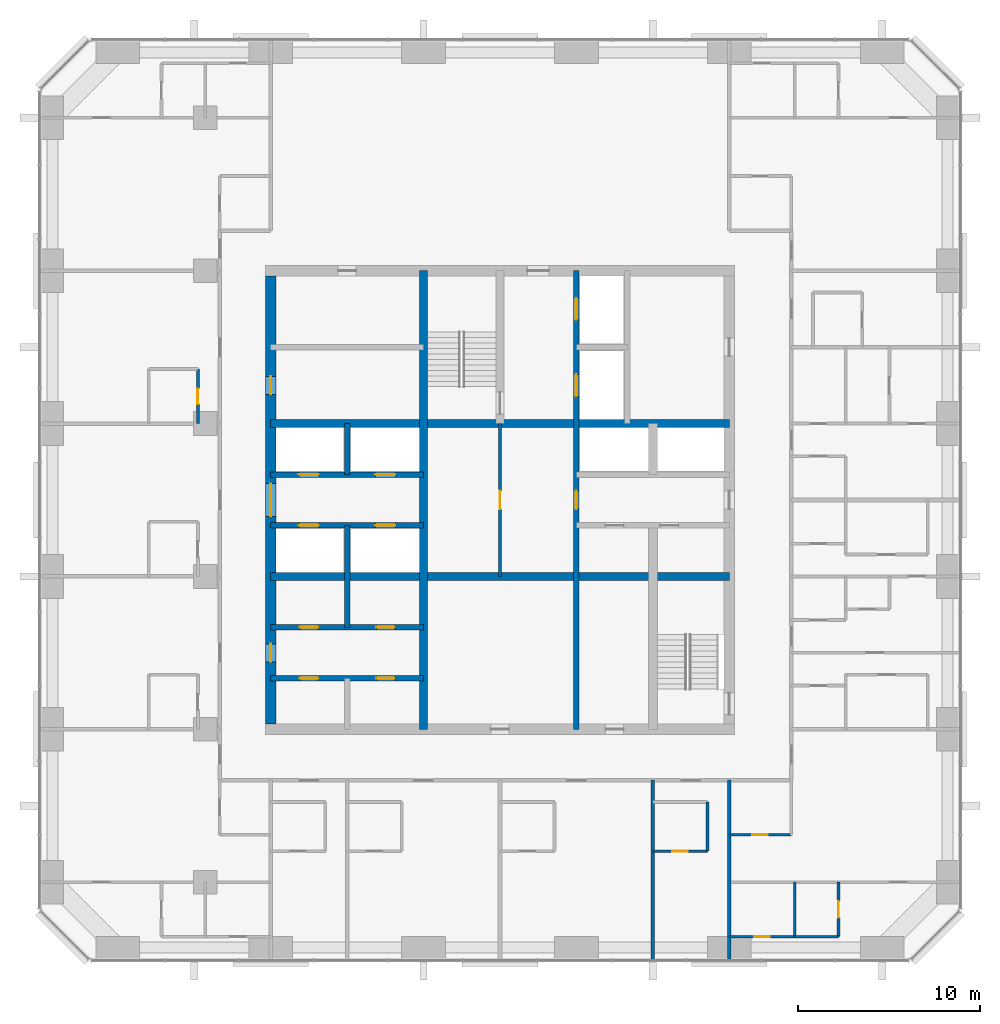
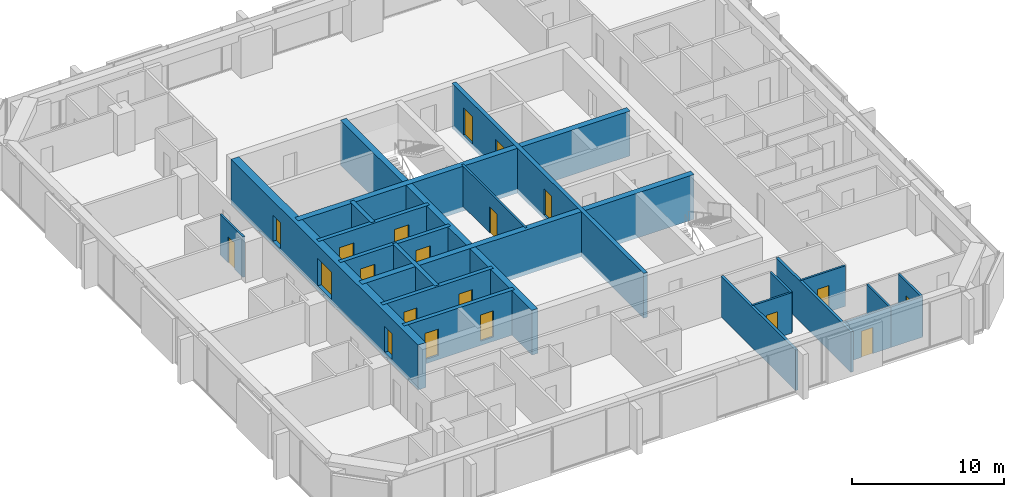
# One storey, part 9 of 13: 22 walls, 20 doors, 20 openings.
"""IFC4 building model written with IfcOpenShell, lengths in metres."""

from ifc_helpers import new_model, si_unit, direction, frame, frame_2d, origin, place, context, subcontext, project, spatial, rectangle, extrude, material, layer, layer_set, type_object, element, fill, save


model = new_model("IFC4")

# Units and contexts
model_context = context("Model", 3, precision=1e-05, world=origin(), true_north=direction((0.0, 1.0)))
body_context = subcontext(model_context, "Body", "Model", "MODEL_VIEW")
ifc_project = project(units=[si_unit("LENGTHUNIT", "METRE"), si_unit("AREAUNIT", "SQUARE_METRE"), si_unit("VOLUMEUNIT", "CUBIC_METRE"), si_unit("PLANEANGLEUNIT", "RADIAN"), si_unit("MASSUNIT", "GRAM", prefix="KILO")], contexts=[model_context])

# Site, building, storey
site_placement = place(None, origin())
site = spatial("IfcSite", under=ifc_project, at=site_placement, CompositionType="ELEMENT")
building_placement = place(site_placement, origin())
building = spatial("IfcBuilding", under=site, at=building_placement, Name="Dunama Terrace Hotel", CompositionType="ELEMENT")
storey_placement = place(building_placement, frame((0.0, 0.0, 195.0)))
storey = spatial("IfcBuildingStorey", under=building, at=storey_placement, Name="L50", CompositionType="ELEMENT", Elevation=195.0)

# Wall, opening, door
ifc_material_1 = material(Name="Gypsum board partition", Category="masonry")
ifc_layer_1 = layer(ifc_material_1, 0.14990234375)
ifc_layer_set_1 = layer_set([ifc_layer_1], Name="Bathroom partition 150")
wall_type_1 = type_object("IfcWallType", Name="Bathroom partition 150", PredefinedType="PARTITIONING", material=ifc_layer_set_1)
wall_1_placement = place(storey_placement, frame((12.800048828125, 33.60009765625, 0.0), z_axis=(0.0, 0.0, 1.0), x_axis=(0.0, 1.0, 0.0)))
wall_1 = element("IfcWall", 1, at=wall_1_placement, inside=storey, type_object=wall_type_1, Name="Bathroom partition 150 L50", PredefinedType="PARTITIONING", context=body_context, shape_type="SweptSolid", body=[
    extrude(rectangle(XDim=3.0, YDim=0.14990234375, at=frame_2d((1.5, 0.0))), origin(), (0.0, 0.0, 1.0), 3.25),
])
opening_1_placement = place(wall_1_placement, frame((1.074951171875, 0.0, 0.0)))
opening_1 = element("IfcOpeningElement", 2, at=opening_1_placement, cuts=wall_1, Name="Opening L48-50-038", PredefinedType="OPENING", context=body_context, shape_type="SweptSolid", body=[
    extrude(rectangle(XDim=0.85009765625, YDim=2.10009765625, at=frame_2d((0.425048828125, 1.050048828125))), frame((0.0, 0.0849609375, 0.0), z_axis=(0.0, -1.0, 0.0), x_axis=(1.0, 0.0, 0.0)), (0.0, 0.0, 1.0), 0.169921875),
])
ifc_material_2 = material(Name="Timber door with steel frame", Category="steel")
door_type_1 = type_object("IfcDoorType", Name="Bathroom door 850", OperationType="SINGLE_SWING_LEFT", PredefinedType="DOOR", material=ifc_material_2)
door_1_placement = place(opening_1_placement, origin())
door_1 = element("IfcDoor", 3, at=door_1_placement, inside=storey, type_object=door_type_1, Name="Door to en-suite bathroom L48-50-038, type D2", OperationType="SINGLE_SWING_LEFT", OverallHeight=2.10009765625, OverallWidth=0.85009765625, PredefinedType="DOOR", context=body_context, shape_type="SweptSolid", body=[
    extrude(rectangle(XDim=0.85009765625, YDim=2.10009765625, at=frame_2d((0.425048828125, 1.050048828125))), frame((0.0, 0.02490234375, 0.0), z_axis=(0.0, -1.0, 0.0), x_axis=(1.0, 0.0, 0.0)), (0.0, 0.0, 1.0), 0.050048828125),
])
fill(opening_1, door_1)

# Wall
wall_2_placement = place(storey_placement, frame((40.800048828125, 10.10009765625, 0.0), z_axis=(0.0, 0.0, 1.0), x_axis=(0.0, 1.0, 0.0)))
element("IfcWall", 4, at=wall_2_placement, inside=storey, type_object=wall_type_1, Name="Bathroom partition 150 L50", PredefinedType="PARTITIONING", context=body_context, shape_type="SweptSolid", body=[
    extrude(rectangle(XDim=2.699951171875, YDim=0.14990234375, at=frame_2d((1.35009765625, 0.0))), origin(), (0.0, 0.0, 1.0), 3.25),
])

# Wall, opening, door
wall_3_placement = place(storey_placement, frame((42.0, 5.39990234375, 0.0), z_axis=(0.0, 0.0, 1.0), x_axis=(1.0, 0.0, 0.0)))
wall_3 = element("IfcWall", 5, at=wall_3_placement, inside=storey, type_object=wall_type_1, Name="Bathroom partition 150 L50", PredefinedType="PARTITIONING", context=body_context, shape_type="SweptSolid", body=[
    extrude(rectangle(XDim=3.60009765625, YDim=0.14990234375, at=frame_2d((1.800048828125, 0.0))), origin(), (0.0, 0.0, 1.0), 3.25),
])
opening_2_placement = place(wall_3_placement, frame((1.375, 0.0, 0.0)))
opening_2 = element("IfcOpeningElement", 6, at=opening_2_placement, cuts=wall_3, Name="Opening L48-50-047", PredefinedType="OPENING", context=body_context, shape_type="SweptSolid", body=[
    extrude(rectangle(XDim=0.85009765625, YDim=2.10009765625, at=frame_2d((0.425048828125, 1.050048828125))), frame((0.0, 0.0849609375, 0.0), z_axis=(0.0, -1.0, 0.0), x_axis=(1.0, 0.0, 0.0)), (0.0, 0.0, 1.0), 0.169921875),
])
door_2_placement = place(opening_2_placement, origin())
door_2 = element("IfcDoor", 7, at=door_2_placement, inside=storey, type_object=door_type_1, Name="Door to en-suite bathroom L48-50-047, type D2", OperationType="SINGLE_SWING_LEFT", OverallHeight=2.10009765625, OverallWidth=0.85009765625, PredefinedType="DOOR", context=body_context, shape_type="SweptSolid", body=[
    extrude(rectangle(XDim=0.85009765625, YDim=2.10009765625, at=frame_2d((0.425048828125, 1.050048828125))), frame((0.0, 0.02490234375, 0.0), z_axis=(0.0, -1.0, 0.0), x_axis=(1.0, 0.0, 0.0)), (0.0, 0.0, 1.0), 0.050048828125),
])
fill(opening_2, door_2)

wall_4_placement = place(storey_placement, frame((37.800048828125, 10.10009765625, 0.0), z_axis=(0.0, 0.0, 1.0), x_axis=(1.0, 0.0, 0.0)))
wall_4 = element("IfcWall", 8, at=wall_4_placement, inside=storey, type_object=wall_type_1, Name="Bathroom partition 150 L50", PredefinedType="PARTITIONING", context=body_context, shape_type="SweptSolid", body=[
    extrude(rectangle(XDim=3.0, YDim=0.14990234375, at=frame_2d((1.5, 0.0))), origin(), (0.0, 0.0, 1.0), 3.25),
])
opening_3_placement = place(wall_4_placement, frame((1.074951171875, 0.0, 0.0)))
opening_3 = element("IfcOpeningElement", 9, at=opening_3_placement, cuts=wall_4, Name="Opening L48-50-016", PredefinedType="OPENING", context=body_context, shape_type="SweptSolid", body=[
    extrude(rectangle(XDim=0.85009765625, YDim=2.10009765625, at=frame_2d((0.425048828125, 1.050048828125))), frame((0.0, 0.0849609375, 0.0), z_axis=(0.0, -1.0, 0.0), x_axis=(1.0, 0.0, 0.0)), (0.0, 0.0, 1.0), 0.169921875),
])
door_3_placement = place(opening_3_placement, origin())
door_3 = element("IfcDoor", 10, at=door_3_placement, inside=storey, type_object=door_type_1, Name="Door to en-suite bathroom L48-50-016, type D2", OperationType="SINGLE_SWING_LEFT", OverallHeight=2.10009765625, OverallWidth=0.85009765625, PredefinedType="DOOR", context=body_context, shape_type="SweptSolid", body=[
    extrude(rectangle(XDim=0.85009765625, YDim=2.10009765625, at=frame_2d((0.425048828125, 1.050048828125))), frame((0.0, 0.02490234375, 0.0), z_axis=(0.0, -1.0, 0.0), x_axis=(1.0, 0.0, 0.0)), (0.0, 0.0, 1.0), 0.050048828125),
])
fill(opening_3, door_3)

wall_5_placement = place(storey_placement, frame((42.0, 11.0, 0.0), z_axis=(0.0, 0.0, 1.0), x_axis=(1.0, 0.0, 0.0)))
wall_5 = element("IfcWall", 11, at=wall_5_placement, inside=storey, type_object=wall_type_1, Name="Bathroom partition 150 L50", PredefinedType="PARTITIONING", context=body_context, shape_type="SweptSolid", body=[
    extrude(rectangle(XDim=3.39990234375, YDim=0.14990234375, at=frame_2d((1.699951171875, 0.0))), origin(), (0.0, 0.0, 1.0), 3.25),
])
opening_4_placement = place(wall_5_placement, frame((1.27490234375, 0.0, 0.0)))
opening_4 = element("IfcOpeningElement", 12, at=opening_4_placement, cuts=wall_5, Name="Opening L48-50-045", PredefinedType="OPENING", context=body_context, shape_type="SweptSolid", body=[
    extrude(rectangle(XDim=0.85009765625, YDim=2.10009765625, at=frame_2d((0.425048828125, 1.050048828125))), frame((0.0, 0.0849609375, 0.0), z_axis=(0.0, -1.0, 0.0), x_axis=(1.0, 0.0, 0.0)), (0.0, 0.0, 1.0), 0.169921875),
])
door_4_placement = place(opening_4_placement, origin())
door_4 = element("IfcDoor", 13, at=door_4_placement, inside=storey, type_object=door_type_1, Name="Door to powder room L48-50-045, type D2", OperationType="SINGLE_SWING_LEFT", OverallHeight=2.10009765625, OverallWidth=0.85009765625, PredefinedType="DOOR", context=body_context, shape_type="SweptSolid", body=[
    extrude(rectangle(XDim=0.85009765625, YDim=2.10009765625, at=frame_2d((0.425048828125, 1.050048828125))), frame((0.0, 0.02490234375, 0.0), z_axis=(0.0, -1.0, 0.0), x_axis=(1.0, 0.0, 0.0)), (0.0, 0.0, 1.0), 0.050048828125),
])
fill(opening_4, door_4)

# Walls
ifc_material_3 = material(Name="Concrete C50/60", Category="concrete")
ifc_layer_2 = layer(ifc_material_3, 0.300048828125)
ifc_layer_set_2 = layer_set([ifc_layer_2], Name="Core inner wall 300")
wall_type_2 = type_object("IfcWallType", Name="Core inner wall 300", PredefinedType="SHEAR", material=ifc_layer_set_2)
wall_6_placement = place(storey_placement, frame((21.0, 22.39990234375, -0.35009765625), z_axis=(0.0, 0.0, 1.0), x_axis=(0.0, 1.0, 0.0)))
element("IfcWall", 14, at=wall_6_placement, inside=storey, type_object=wall_type_2, Name="Core inner wall 300 L50", PredefinedType="SHEAR", context=body_context, shape_type="SweptSolid", body=[
    extrude(rectangle(XDim=5.60009765625, YDim=0.300048828125, at=frame_2d((2.800048828125, 0.0))), origin(), (0.0, 0.0, 1.0), 3.60009765625),
])
wall_7_placement = place(storey_placement, frame((21.0, 30.800048828125, -0.35009765625), z_axis=(0.0, 0.0, 1.0), x_axis=(0.0, 1.0, 0.0)))
element("IfcWall", 15, at=wall_7_placement, inside=storey, type_object=wall_type_2, Name="Core inner wall 300 L50", PredefinedType="SHEAR", context=body_context, shape_type="SweptSolid", body=[
    extrude(rectangle(XDim=2.800048828125, YDim=0.300048828125, at=frame_2d((1.39990234375, 0.0))), origin(), (0.0, 0.0, 1.0), 3.60009765625),
])

# Wall, openings, doors
wall_8_placement = place(storey_placement, frame((33.60009765625, 16.800048828125, -0.35009765625), z_axis=(0.0, 0.0, 1.0), x_axis=(0.0, 1.0, 0.0)))
wall_8 = element("IfcWall", 16, at=wall_8_placement, inside=storey, type_object=wall_type_2, Name="Core inner wall 300 L50", PredefinedType="SHEAR", context=body_context, shape_type="SweptSolid", body=[
    extrude(rectangle(XDim=25.199951171875, YDim=0.300048828125, at=frame_2d((12.60009765625, 0.0))), origin(), (0.0, 0.0, 1.0), 3.60009765625),
])
opening_5_placement = place(wall_8_placement, frame((22.5, 0.0, 0.35009765625)))
opening_5 = element("IfcOpeningElement", 17, at=opening_5_placement, cuts=wall_8, Name="Opening L48-50-007", PredefinedType="OPENING", context=body_context, shape_type="SweptSolid", body=[
    extrude(rectangle(XDim=1.199951171875, YDim=2.199951171875, at=frame_2d((0.60009765625, 1.10009765625))), frame((0.0, 0.159912109375, 0.0), z_axis=(0.0, -1.0, 0.0), x_axis=(1.0, 0.0, 0.0)), (0.0, 0.0, 1.0), 0.320068359375),
])
opening_6_placement = place(wall_8_placement, frame((18.300048828125, 0.0, 0.35009765625)))
opening_6 = element("IfcOpeningElement", 18, at=opening_6_placement, cuts=wall_8, Name="Opening L48-50-008", PredefinedType="OPENING", context=body_context, shape_type="SweptSolid", body=[
    extrude(rectangle(XDim=1.199951171875, YDim=2.199951171875, at=frame_2d((0.60009765625, 1.10009765625))), frame((0.0, 0.159912109375, 0.0), z_axis=(0.0, -1.0, 0.0), x_axis=(1.0, 0.0, 0.0)), (0.0, 0.0, 1.0), 0.320068359375),
])
opening_7_placement = place(wall_8_placement, frame((12.10009765625, 0.0, 0.35009765625)))
opening_7 = element("IfcOpeningElement", 19, at=opening_7_placement, cuts=wall_8, Name="Opening L48-50-067", PredefinedType="OPENING", context=body_context, shape_type="SweptSolid", body=[
    extrude(rectangle(XDim=1.0, YDim=2.10009765625, at=frame_2d((0.5, 1.050048828125))), frame((0.0, 0.159912109375, 0.0), z_axis=(0.0, -1.0, 0.0), x_axis=(1.0, 0.0, 0.0)), (0.0, 0.0, 1.0), 0.320068359375),
])
ifc_material_4 = material(Name="Stainless steel lift door", Category="steel")
door_type_2 = type_object("IfcDoorType", Name="Firefighting lift landing door 1200", OperationType="DOUBLE_DOOR_SLIDING", PredefinedType="DOOR", material=ifc_material_4)
door_5_placement = place(opening_5_placement, origin())
door_5 = element("IfcDoor", 20, at=door_5_placement, inside=storey, type_object=door_type_2, Name="Landing door FL1 L48-50-007, type LD2", OperationType="DOUBLE_DOOR_SLIDING", OverallHeight=2.199951171875, OverallWidth=1.199951171875, PredefinedType="DOOR", context=body_context, shape_type="SweptSolid", body=[
    extrude(rectangle(XDim=1.199951171875, YDim=2.199951171875, at=frame_2d((0.60009765625, 1.10009765625))), frame((0.0, 0.02490234375, 0.0), z_axis=(0.0, -1.0, 0.0), x_axis=(1.0, 0.0, 0.0)), (0.0, 0.0, 1.0), 0.050048828125),
])
fill(opening_5, door_5)
door_6_placement = place(opening_6_placement, origin())
door_6 = element("IfcDoor", 21, at=door_6_placement, inside=storey, type_object=door_type_2, Name="Landing door FL2 L48-50-008, type LD2", OperationType="DOUBLE_DOOR_SLIDING", OverallHeight=2.199951171875, OverallWidth=1.199951171875, PredefinedType="DOOR", context=body_context, shape_type="SweptSolid", body=[
    extrude(rectangle(XDim=1.199951171875, YDim=2.199951171875, at=frame_2d((0.60009765625, 1.10009765625))), frame((0.0, 0.02490234375, 0.0), z_axis=(0.0, -1.0, 0.0), x_axis=(1.0, 0.0, 0.0)), (0.0, 0.0, 1.0), 0.050048828125),
])
fill(opening_6, door_6)
ifc_material_5 = material(Name="Timber door with steel frame", Category="steel")
door_type_3 = type_object("IfcDoorType", Name="Service door 1000", OperationType="SINGLE_SWING_LEFT", PredefinedType="DOOR", material=ifc_material_5)
door_7_placement = place(opening_7_placement, origin())
door_7 = element("IfcDoor", 22, at=door_7_placement, inside=storey, type_object=door_type_3, Name="Door to linen store L48-50-067, type D7", OperationType="SINGLE_SWING_LEFT", OverallHeight=2.10009765625, OverallWidth=1.0, PredefinedType="DOOR", context=body_context, shape_type="SweptSolid", body=[
    extrude(rectangle(XDim=1.0, YDim=2.10009765625, at=frame_2d((0.5, 1.050048828125))), frame((0.0, 0.02490234375, 0.0), z_axis=(0.0, -1.0, 0.0), x_axis=(1.0, 0.0, 0.0)), (0.0, 0.0, 1.0), 0.050048828125),
])
fill(opening_7, door_7)

wall_9_placement = place(storey_placement, frame((16.800048828125, 19.60009765625, -0.35009765625), z_axis=(0.0, 0.0, 1.0), x_axis=(1.0, 0.0, 0.0)))
wall_9 = element("IfcWall", 23, at=wall_9_placement, inside=storey, type_object=wall_type_2, Name="Core inner wall 300 L50", PredefinedType="SHEAR", context=body_context, shape_type="SweptSolid", body=[
    extrude(rectangle(XDim=8.39990234375, YDim=0.300048828125, at=frame_2d((4.199951171875, 0.0))), origin(), (0.0, 0.0, 1.0), 3.60009765625),
])
opening_8_placement = place(wall_9_placement, frame((1.60009765625, 0.0, 0.35009765625)))
opening_8 = element("IfcOpeningElement", 24, at=opening_8_placement, cuts=wall_9, Name="Opening L48-50-060", PredefinedType="OPENING", context=body_context, shape_type="SweptSolid", body=[
    extrude(rectangle(XDim=1.0, YDim=2.10009765625, at=frame_2d((0.5, 1.050048828125))), frame((0.0, 0.159912109375, 0.0), z_axis=(0.0, -1.0, 0.0), x_axis=(1.0, 0.0, 0.0)), (0.0, 0.0, 1.0), 0.320068359375),
])
opening_9_placement = place(wall_9_placement, frame((5.800048828125, 0.0, 0.35009765625)))
opening_9 = element("IfcOpeningElement", 25, at=opening_9_placement, cuts=wall_9, Name="Opening L48-50-061", PredefinedType="OPENING", context=body_context, shape_type="SweptSolid", body=[
    extrude(rectangle(XDim=1.0, YDim=2.10009765625, at=frame_2d((0.5, 1.050048828125))), frame((0.0, 0.159912109375, 0.0), z_axis=(0.0, -1.0, 0.0), x_axis=(1.0, 0.0, 0.0)), (0.0, 0.0, 1.0), 0.320068359375),
])
door_8_placement = place(opening_8_placement, frame((1.0, 0.0, 0.0), z_axis=(0.0, 0.0, 1.0), x_axis=(-1.0, 0.0, 0.0)))
door_8 = element("IfcDoor", 26, at=door_8_placement, inside=storey, type_object=door_type_3, Name="Door to service riser L48-50-060, type D7", OperationType="SINGLE_SWING_RIGHT", OverallHeight=2.10009765625, OverallWidth=1.0, PredefinedType="DOOR", context=body_context, shape_type="SweptSolid", body=[
    extrude(rectangle(XDim=1.0, YDim=2.10009765625, at=frame_2d((0.5, 1.050048828125))), frame((0.0, 0.025146484375, 0.0), z_axis=(0.0, -1.0, 0.0), x_axis=(1.0, 0.0, 0.0)), (0.0, 0.0, 1.0), 0.050048828125),
])
fill(opening_8, door_8)
door_9_placement = place(opening_9_placement, frame((1.0, 0.0, 0.0), z_axis=(0.0, 0.0, 1.0), x_axis=(-1.0, 0.0, 0.0)))
door_9 = element("IfcDoor", 27, at=door_9_placement, inside=storey, type_object=door_type_3, Name="Door to housekeeping store L48-50-061, type D7", OperationType="SINGLE_SWING_LEFT", OverallHeight=2.10009765625, OverallWidth=1.0, PredefinedType="DOOR", context=body_context, shape_type="SweptSolid", body=[
    extrude(rectangle(XDim=1.0, YDim=2.10009765625, at=frame_2d((0.5, 1.050048828125))), frame((0.0, 0.025146484375, 0.0), z_axis=(0.0, -1.0, 0.0), x_axis=(1.0, 0.0, 0.0)), (0.0, 0.0, 1.0), 0.050048828125),
])
fill(opening_9, door_9)

wall_10_placement = place(storey_placement, frame((16.800048828125, 22.39990234375, -0.35009765625), z_axis=(0.0, 0.0, 1.0), x_axis=(1.0, 0.0, 0.0)))
wall_10 = element("IfcWall", 28, at=wall_10_placement, inside=storey, type_object=wall_type_2, Name="Core inner wall 300 L50", PredefinedType="SHEAR", context=body_context, shape_type="SweptSolid", body=[
    extrude(rectangle(XDim=8.39990234375, YDim=0.300048828125, at=frame_2d((4.199951171875, 0.0))), origin(), (0.0, 0.0, 1.0), 3.60009765625),
])
opening_10_placement = place(wall_10_placement, frame((1.60009765625, 0.0, 0.35009765625)))
opening_10 = element("IfcOpeningElement", 29, at=opening_10_placement, cuts=wall_10, Name="Opening L48-50-062", PredefinedType="OPENING", context=body_context, shape_type="SweptSolid", body=[
    extrude(rectangle(XDim=1.0, YDim=2.10009765625, at=frame_2d((0.5, 1.050048828125))), frame((0.0, 0.159912109375, 0.0), z_axis=(0.0, -1.0, 0.0), x_axis=(1.0, 0.0, 0.0)), (0.0, 0.0, 1.0), 0.320068359375),
])
opening_11_placement = place(wall_10_placement, frame((5.800048828125, 0.0, 0.35009765625)))
opening_11 = element("IfcOpeningElement", 30, at=opening_11_placement, cuts=wall_10, Name="Opening L48-50-063", PredefinedType="OPENING", context=body_context, shape_type="SweptSolid", body=[
    extrude(rectangle(XDim=1.0, YDim=2.10009765625, at=frame_2d((0.5, 1.050048828125))), frame((0.0, 0.159912109375, 0.0), z_axis=(0.0, -1.0, 0.0), x_axis=(1.0, 0.0, 0.0)), (0.0, 0.0, 1.0), 0.320068359375),
])
door_10_placement = place(opening_10_placement, origin())
door_10 = element("IfcDoor", 31, at=door_10_placement, inside=storey, type_object=door_type_3, Name="Door to staff accessible wc L48-50-062, type D7", OperationType="SINGLE_SWING_LEFT", OverallHeight=2.10009765625, OverallWidth=1.0, PredefinedType="DOOR", context=body_context, shape_type="SweptSolid", body=[
    extrude(rectangle(XDim=1.0, YDim=2.10009765625, at=frame_2d((0.5, 1.050048828125))), frame((0.0, 0.02490234375, 0.0), z_axis=(0.0, -1.0, 0.0), x_axis=(1.0, 0.0, 0.0)), (0.0, 0.0, 1.0), 0.050048828125),
])
fill(opening_10, door_10)
door_11_placement = place(opening_11_placement, origin())
door_11 = element("IfcDoor", 32, at=door_11_placement, inside=storey, type_object=door_type_3, Name="Door to it room L48-50-063, type D7", OperationType="SINGLE_SWING_RIGHT", OverallHeight=2.10009765625, OverallWidth=1.0, PredefinedType="DOOR", context=body_context, shape_type="SweptSolid", body=[
    extrude(rectangle(XDim=1.0, YDim=2.10009765625, at=frame_2d((0.5, 1.050048828125))), frame((0.0, 0.02490234375, 0.0), z_axis=(0.0, -1.0, 0.0), x_axis=(1.0, 0.0, 0.0)), (0.0, 0.0, 1.0), 0.050048828125),
])
fill(opening_11, door_11)

wall_11_placement = place(storey_placement, frame((16.800048828125, 28.0, -0.35009765625), z_axis=(0.0, 0.0, 1.0), x_axis=(1.0, 0.0, 0.0)))
wall_11 = element("IfcWall", 33, at=wall_11_placement, inside=storey, type_object=wall_type_2, Name="Core inner wall 300 L50", PredefinedType="SHEAR", context=body_context, shape_type="SweptSolid", body=[
    extrude(rectangle(XDim=8.39990234375, YDim=0.300048828125, at=frame_2d((4.199951171875, 0.0))), origin(), (0.0, 0.0, 1.0), 3.60009765625),
])
opening_12_placement = place(wall_11_placement, frame((1.550048828125, 0.0, 0.35009765625)))
opening_12 = element("IfcOpeningElement", 34, at=opening_12_placement, cuts=wall_11, Name="Opening L48-50-003", PredefinedType="OPENING", context=body_context, shape_type="SweptSolid", body=[
    extrude(rectangle(XDim=1.10009765625, YDim=2.199951171875, at=frame_2d((0.550048828125, 1.10009765625))), frame((0.0, 0.159912109375, 0.0), z_axis=(0.0, -1.0, 0.0), x_axis=(1.0, 0.0, 0.0)), (0.0, 0.0, 1.0), 0.320068359375),
])
opening_13_placement = place(wall_11_placement, frame((5.75, 0.0, 0.35009765625)))
opening_13 = element("IfcOpeningElement", 35, at=opening_13_placement, cuts=wall_11, Name="Opening L48-50-004", PredefinedType="OPENING", context=body_context, shape_type="SweptSolid", body=[
    extrude(rectangle(XDim=1.10009765625, YDim=2.199951171875, at=frame_2d((0.550048828125, 1.10009765625))), frame((0.0, 0.159912109375, 0.0), z_axis=(0.0, -1.0, 0.0), x_axis=(1.0, 0.0, 0.0)), (0.0, 0.0, 1.0), 0.320068359375),
])
ifc_material_6 = material(Name="Stainless steel lift door", Category="steel")
door_type_4 = type_object("IfcDoorType", Name="Lift landing door 1100", OperationType="DOUBLE_DOOR_SLIDING", PredefinedType="DOOR", material=ifc_material_6)
door_12_placement = place(opening_12_placement, origin())
door_12 = element("IfcDoor", 36, at=door_12_placement, inside=storey, type_object=door_type_4, Name="Landing door PC1 L48-50-003, type LD1", OperationType="DOUBLE_DOOR_SLIDING", OverallHeight=2.199951171875, OverallWidth=1.10009765625, PredefinedType="DOOR", context=body_context, shape_type="SweptSolid", body=[
    extrude(rectangle(XDim=1.10009765625, YDim=2.199951171875, at=frame_2d((0.550048828125, 1.10009765625))), frame((0.0, 0.02490234375, 0.0), z_axis=(0.0, -1.0, 0.0), x_axis=(1.0, 0.0, 0.0)), (0.0, 0.0, 1.0), 0.050048828125),
])
fill(opening_12, door_12)
door_13_placement = place(opening_13_placement, origin())
door_13 = element("IfcDoor", 37, at=door_13_placement, inside=storey, type_object=door_type_4, Name="Landing door PC2 L48-50-004, type LD1", OperationType="DOUBLE_DOOR_SLIDING", OverallHeight=2.199951171875, OverallWidth=1.10009765625, PredefinedType="DOOR", context=body_context, shape_type="SweptSolid", body=[
    extrude(rectangle(XDim=1.10009765625, YDim=2.199951171875, at=frame_2d((0.550048828125, 1.10009765625))), frame((0.0, 0.02490234375, 0.0), z_axis=(0.0, -1.0, 0.0), x_axis=(1.0, 0.0, 0.0)), (0.0, 0.0, 1.0), 0.050048828125),
])
fill(opening_13, door_13)

wall_12_placement = place(storey_placement, frame((16.800048828125, 30.800048828125, -0.35009765625), z_axis=(0.0, 0.0, 1.0), x_axis=(1.0, 0.0, 0.0)))
wall_12 = element("IfcWall", 38, at=wall_12_placement, inside=storey, type_object=wall_type_2, Name="Core inner wall 300 L50", PredefinedType="SHEAR", context=body_context, shape_type="SweptSolid", body=[
    extrude(rectangle(XDim=8.39990234375, YDim=0.300048828125, at=frame_2d((4.199951171875, 0.0))), origin(), (0.0, 0.0, 1.0), 3.60009765625),
])
opening_14_placement = place(wall_12_placement, frame((1.550048828125, 0.0, 0.35009765625)))
opening_14 = element("IfcOpeningElement", 39, at=opening_14_placement, cuts=wall_12, Name="Opening L48-50-005", PredefinedType="OPENING", context=body_context, shape_type="SweptSolid", body=[
    extrude(rectangle(XDim=1.10009765625, YDim=2.199951171875, at=frame_2d((0.550048828125, 1.10009765625))), frame((0.0, 0.159912109375, 0.0), z_axis=(0.0, -1.0, 0.0), x_axis=(1.0, 0.0, 0.0)), (0.0, 0.0, 1.0), 0.320068359375),
])
opening_15_placement = place(wall_12_placement, frame((5.75, 0.0, 0.35009765625)))
opening_15 = element("IfcOpeningElement", 40, at=opening_15_placement, cuts=wall_12, Name="Opening L48-50-006", PredefinedType="OPENING", context=body_context, shape_type="SweptSolid", body=[
    extrude(rectangle(XDim=1.10009765625, YDim=2.199951171875, at=frame_2d((0.550048828125, 1.10009765625))), frame((0.0, 0.159912109375, 0.0), z_axis=(0.0, -1.0, 0.0), x_axis=(1.0, 0.0, 0.0)), (0.0, 0.0, 1.0), 0.320068359375),
])
door_14_placement = place(opening_14_placement, origin())
door_14 = element("IfcDoor", 41, at=door_14_placement, inside=storey, type_object=door_type_4, Name="Landing door PC3 L48-50-005, type LD1", OperationType="DOUBLE_DOOR_SLIDING", OverallHeight=2.199951171875, OverallWidth=1.10009765625, PredefinedType="DOOR", context=body_context, shape_type="SweptSolid", body=[
    extrude(rectangle(XDim=1.10009765625, YDim=2.199951171875, at=frame_2d((0.550048828125, 1.10009765625))), frame((0.0, 0.02490234375, 0.0), z_axis=(0.0, -1.0, 0.0), x_axis=(1.0, 0.0, 0.0)), (0.0, 0.0, 1.0), 0.050048828125),
])
fill(opening_14, door_14)
door_15_placement = place(opening_15_placement, origin())
door_15 = element("IfcDoor", 42, at=door_15_placement, inside=storey, type_object=door_type_4, Name="Landing door PC4 L48-50-006, type LD1", OperationType="DOUBLE_DOOR_SLIDING", OverallHeight=2.199951171875, OverallWidth=1.10009765625, PredefinedType="DOOR", context=body_context, shape_type="SweptSolid", body=[
    extrude(rectangle(XDim=1.10009765625, YDim=2.199951171875, at=frame_2d((0.550048828125, 1.10009765625))), frame((0.0, 0.02490234375, 0.0), z_axis=(0.0, -1.0, 0.0), x_axis=(1.0, 0.0, 0.0)), (0.0, 0.0, 1.0), 0.050048828125),
])
fill(opening_15, door_15)

# Walls
ifc_material_7 = material(Name="Concrete C50/60", Category="concrete")
ifc_layer_3 = layer(ifc_material_7, 0.449951171875)
ifc_layer_set_3 = layer_set([ifc_layer_3], Name="Core inner wall 450")
wall_type_3 = type_object("IfcWallType", Name="Core inner wall 450", PredefinedType="SHEAR", material=ifc_layer_set_3)
for number, where, z_axis, x_axis, name in (
    (43, (25.199951171875, 16.800048828125, -0.35009765625), (0.0, 0.0, 1.0), (0.0, 1.0, 0.0), "Core inner wall 450 L50"),
    (44, (16.800048828125, 25.199951171875, -0.35009765625), (0.0, 0.0, 1.0), (1.0, 0.0, 0.0), "Core inner wall 450 L50"),
    (45, (16.800048828125, 33.60009765625, -0.35009765625), (0.0, 0.0, 1.0), (1.0, 0.0, 0.0), "Core inner wall 450 L50"),
):
    element("IfcWall", number, at=place(storey_placement, frame(where, z_axis=z_axis, x_axis=x_axis)), inside=storey, type_object=wall_type_3, Name=name, PredefinedType="SHEAR", context=body_context, shape_type="SweptSolid", body=[
        extrude(rectangle(XDim=25.199951171875, YDim=0.449951171875, at=frame_2d((12.60009765625, 0.0))), origin(), (0.0, 0.0, 1.0), 3.60009765625),
    ])

# Wall, openings, doors
ifc_material_8 = material(Name="Concrete C50/60", Category="concrete")
ifc_layer_4 = layer(ifc_material_8, 0.60009765625)
ifc_layer_set_4 = layer_set([ifc_layer_4], Name="Core wall 600")
wall_type_4 = type_object("IfcWallType", Name="Core wall 600", PredefinedType="SHEAR", material=ifc_layer_set_4)
wall_13_placement = place(storey_placement, frame((16.800048828125, 41.699951171875, -0.35009765625), z_axis=(0.0, 0.0, 1.0), x_axis=(0.0, -1.0, 0.0)))
wall_13 = element("IfcWall", 46, at=wall_13_placement, inside=storey, type_object=wall_type_4, Name="Core wall west L50", PredefinedType="SHEAR", context=body_context, shape_type="SweptSolid", body=[
    extrude(rectangle(XDim=24.599853515625, YDim=0.60009765625, at=frame_2d((12.2998046875, 0.0))), origin(), (0.0, 0.0, 1.0), 3.60009765625),
])
opening_16_placement = place(wall_13_placement, frame((11.39990234375, 0.0, 0.35009765625)))
opening_16 = element("IfcOpeningElement", 47, at=opening_16_placement, cuts=wall_13, Name="Opening L48-50-059", PredefinedType="OPENING", context=body_context, shape_type="SweptSolid", body=[
    extrude(rectangle(XDim=1.800048828125, YDim=2.199951171875, at=frame_2d((0.89990234375, 1.10009765625))), frame((0.0, 0.31005859375, 0.0), z_axis=(0.0, -1.0, 0.0), x_axis=(1.0, 0.0, 0.0)), (0.0, 0.0, 1.0), 0.6201171875),
])
opening_17_placement = place(wall_13_placement, frame((20.199951171875, 0.0, 0.35009765625)))
opening_17 = element("IfcOpeningElement", 48, at=opening_17_placement, cuts=wall_13, Name="Opening L48-50-064", PredefinedType="OPENING", context=body_context, shape_type="SweptSolid", body=[
    extrude(rectangle(XDim=1.0, YDim=2.10009765625, at=frame_2d((0.5, 1.050048828125))), frame((0.0, 0.31005859375, 0.0), z_axis=(0.0, -1.0, 0.0), x_axis=(1.0, 0.0, 0.0)), (0.0, 0.0, 1.0), 0.6201171875),
])
opening_18_placement = place(wall_13_placement, frame((5.5, 0.0, 0.35009765625)))
opening_18 = element("IfcOpeningElement", 49, at=opening_18_placement, cuts=wall_13, Name="Opening L48-50-065", PredefinedType="OPENING", context=body_context, shape_type="SweptSolid", body=[
    extrude(rectangle(XDim=1.0, YDim=2.10009765625, at=frame_2d((0.5, 1.050048828125))), frame((0.0, 0.31005859375, 0.0), z_axis=(0.0, -1.0, 0.0), x_axis=(1.0, 0.0, 0.0)), (0.0, 0.0, 1.0), 0.6201171875),
])
ifc_material_9 = material(Name="Timber door with steel frame", Category="steel")
door_type_5 = type_object("IfcDoorType", Name="Lift lobby double door 1800", OperationType="DOUBLE_DOOR_DOUBLE_SWING", PredefinedType="DOOR", material=ifc_material_9)
door_16_placement = place(opening_16_placement, origin())
door_16 = element("IfcDoor", 50, at=door_16_placement, inside=storey, type_object=door_type_5, Name="Door to lift lobby L48-50-059, type D3", OperationType="DOUBLE_DOOR_DOUBLE_SWING", OverallHeight=2.199951171875, OverallWidth=1.800048828125, PredefinedType="DOOR", context=body_context, shape_type="SweptSolid", body=[
    extrude(rectangle(XDim=1.800048828125, YDim=2.199951171875, at=frame_2d((0.89990234375, 1.10009765625))), frame((0.0, 0.02490234375, 0.0), z_axis=(0.0, -1.0, 0.0), x_axis=(1.0, 0.0, 0.0)), (0.0, 0.0, 1.0), 0.050048828125),
])
fill(opening_16, door_16)
door_17_placement = place(opening_17_placement, origin())
door_17 = element("IfcDoor", 51, at=door_17_placement, inside=storey, type_object=door_type_3, Name="Door to back-of-house lobby L48-50-064, type D7", OperationType="SINGLE_SWING_LEFT", OverallHeight=2.10009765625, OverallWidth=1.0, PredefinedType="DOOR", context=body_context, shape_type="SweptSolid", body=[
    extrude(rectangle(XDim=1.0, YDim=2.10009765625, at=frame_2d((0.5, 1.050048828125))), frame((0.0, 0.02490234375, 0.0), z_axis=(0.0, -1.0, 0.0), x_axis=(1.0, 0.0, 0.0)), (0.0, 0.0, 1.0), 0.050048828125),
])
fill(opening_17, door_17)
door_18_placement = place(opening_18_placement, origin())
door_18 = element("IfcDoor", 52, at=door_18_placement, inside=storey, type_object=door_type_3, Name="Door to electrical room L48-50-065, type D7", OperationType="SINGLE_SWING_RIGHT", OverallHeight=2.10009765625, OverallWidth=1.0, PredefinedType="DOOR", context=body_context, shape_type="SweptSolid", body=[
    extrude(rectangle(XDim=1.0, YDim=2.10009765625, at=frame_2d((0.5, 1.050048828125))), frame((0.0, 0.02490234375, 0.0), z_axis=(0.0, -1.0, 0.0), x_axis=(1.0, 0.0, 0.0)), (0.0, 0.0, 1.0), 0.050048828125),
])
fill(opening_18, door_18)

# Walls
ifc_material_10 = material(Name="Concrete blockwork", Category="masonry")
ifc_layer_5 = layer(ifc_material_10, 0.199951171875)
ifc_layer_set_5 = layer_set([ifc_layer_5], Name="Party wall 200")
wall_type_5 = type_object("IfcWallType", Name="Party wall 200", PredefinedType="PARTITIONING", material=ifc_layer_set_5)
for number, where, z_axis, x_axis, name in (
    (53, (37.800048828125, 4.181884765625, 0.0), (0.0, 0.0, 1.0), (0.0, 1.0, 0.0), "Party wall 200 L50"),
    (54, (42.0, 4.181884765625, 0.0), (0.0, 0.0, 1.0), (0.0, 1.0, 0.0), "Party wall 200 L50"),
):
    element("IfcWall", number, at=place(storey_placement, frame(where, z_axis=z_axis, x_axis=x_axis)), inside=storey, type_object=wall_type_5, Name=name, PredefinedType="PARTITIONING", context=body_context, shape_type="SweptSolid", body=[
        extrude(rectangle(XDim=9.818115234375, YDim=0.199951171875, at=frame_2d((4.9091796875, 0.0))), origin(), (0.0, 0.0, 1.0), 3.25),
    ])

# Wall, opening, door
ifc_material_11 = material(Name="Gypsum board partition", Category="masonry")
ifc_layer_6 = layer(ifc_material_11, 0.14990234375)
ifc_layer_set_6 = layer_set([ifc_layer_6], Name="Room partition 150")
wall_type_6 = type_object("IfcWallType", Name="Room partition 150", PredefinedType="PARTITIONING", material=ifc_layer_set_6)
wall_14_placement = place(storey_placement, frame((29.39990234375, 25.199951171875, 0.0), z_axis=(0.0, 0.0, 1.0), x_axis=(0.0, 1.0, 0.0)))
wall_14 = element("IfcWall", 55, at=wall_14_placement, inside=storey, type_object=wall_type_6, Name="Room partition 150 L50", PredefinedType="PARTITIONING", context=body_context, shape_type="SweptSolid", body=[
    extrude(rectangle(XDim=8.400146484375, YDim=0.14990234375, at=frame_2d((4.2001953125, 0.0))), origin(), (0.0, 0.0, 1.0), 3.25),
])
opening_19_placement = place(wall_14_placement, frame((3.699951171875, 0.0, 0.0)))
opening_19 = element("IfcOpeningElement", 56, at=opening_19_placement, cuts=wall_14, Name="Opening L48-50-068", PredefinedType="OPENING", context=body_context, shape_type="SweptSolid", body=[
    extrude(rectangle(XDim=1.0, YDim=2.10009765625, at=frame_2d((0.5, 1.050048828125))), frame((0.0, 0.0849609375, 0.0), z_axis=(0.0, -1.0, 0.0), x_axis=(1.0, 0.0, 0.0)), (0.0, 0.0, 1.0), 0.169921875),
])
door_19_placement = place(opening_19_placement, origin())
door_19 = element("IfcDoor", 57, at=door_19_placement, inside=storey, type_object=door_type_3, Name="Door to guest amenities store L48-50-068, type D7", OperationType="SINGLE_SWING_LEFT", OverallHeight=2.10009765625, OverallWidth=1.0, PredefinedType="DOOR", context=body_context, shape_type="SweptSolid", body=[
    extrude(rectangle(XDim=1.0, YDim=2.10009765625, at=frame_2d((0.5, 1.050048828125))), frame((0.0, 0.02490234375, 0.0), z_axis=(0.0, -1.0, 0.0), x_axis=(1.0, 0.0, 0.0)), (0.0, 0.0, 1.0), 0.050048828125),
])
fill(opening_19, door_19)

# Wall
wall_15_placement = place(storey_placement, frame((45.60009765625, 5.39990234375, 0.0), z_axis=(0.0, 0.0, 1.0), x_axis=(0.0, 1.0, 0.0)))
element("IfcWall", 58, at=wall_15_placement, inside=storey, type_object=wall_type_6, Name="Room partition 150 L50", PredefinedType="PARTITIONING", context=body_context, shape_type="SweptSolid", body=[
    extrude(rectangle(XDim=3.0, YDim=0.14990234375, at=frame_2d((1.5, 0.0))), origin(), (0.0, 0.0, 1.0), 3.25),
])

# Wall, opening, door
wall_16_placement = place(storey_placement, frame((48.0, 5.39990234375, 0.0), z_axis=(0.0, 0.0, 1.0), x_axis=(0.0, 1.0, 0.0)))
wall_16 = element("IfcWall", 59, at=wall_16_placement, inside=storey, type_object=wall_type_6, Name="Room partition 150 L50", PredefinedType="PARTITIONING", context=body_context, shape_type="SweptSolid", body=[
    extrude(rectangle(XDim=3.0, YDim=0.14990234375, at=frame_2d((1.5, 0.0))), origin(), (0.0, 0.0, 1.0), 3.25),
])
opening_20_placement = place(wall_16_placement, frame((1.050048828125, 0.0, 0.0)))
opening_20 = element("IfcOpeningElement", 60, at=opening_20_placement, cuts=wall_16, Name="Opening L48-50-048", PredefinedType="OPENING", context=body_context, shape_type="SweptSolid", body=[
    extrude(rectangle(XDim=0.89990234375, YDim=2.10009765625, at=frame_2d((0.449951171875, 1.050048828125))), frame((0.0, 0.0849609375, 0.0), z_axis=(0.0, -1.0, 0.0), x_axis=(1.0, 0.0, 0.0)), (0.0, 0.0, 1.0), 0.169921875),
])
ifc_material_12 = material(Name="Timber door with steel frame", Category="steel")
door_type_6 = type_object("IfcDoorType", Name="Suite internal door 900", OperationType="SINGLE_SWING_LEFT", PredefinedType="DOOR", material=ifc_material_12)
door_20_placement = place(opening_20_placement, origin())
door_20 = element("IfcDoor", 61, at=door_20_placement, inside=storey, type_object=door_type_6, Name="Door to dressing room L48-50-048, type D16", OperationType="SINGLE_SWING_LEFT", OverallHeight=2.10009765625, OverallWidth=0.89990234375, PredefinedType="DOOR", context=body_context, shape_type="SweptSolid", body=[
    extrude(rectangle(XDim=0.89990234375, YDim=2.10009765625, at=frame_2d((0.449951171875, 1.050048828125))), frame((0.0, 0.02490234375, 0.0), z_axis=(0.0, -1.0, 0.0), x_axis=(1.0, 0.0, 0.0)), (0.0, 0.0, 1.0), 0.050048828125),
])
fill(opening_20, door_20)

# Wall
wall_17_placement = place(storey_placement, frame((45.60009765625, 5.39990234375, 0.0), z_axis=(0.0, 0.0, 1.0), x_axis=(1.0, 0.0, 0.0)))
element("IfcWall", 62, at=wall_17_placement, inside=storey, type_object=wall_type_6, Name="Room partition 150 L50", PredefinedType="PARTITIONING", context=body_context, shape_type="SweptSolid", body=[
    extrude(rectangle(XDim=2.39990234375, YDim=0.14990234375, at=frame_2d((1.199951171875, 0.0))), origin(), (0.0, 0.0, 1.0), 3.25),
])

save(model, "model.ifc")
